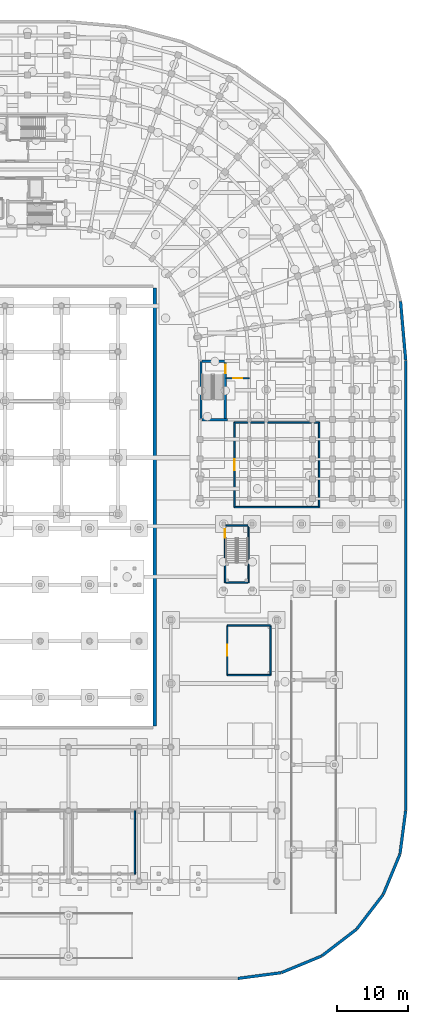
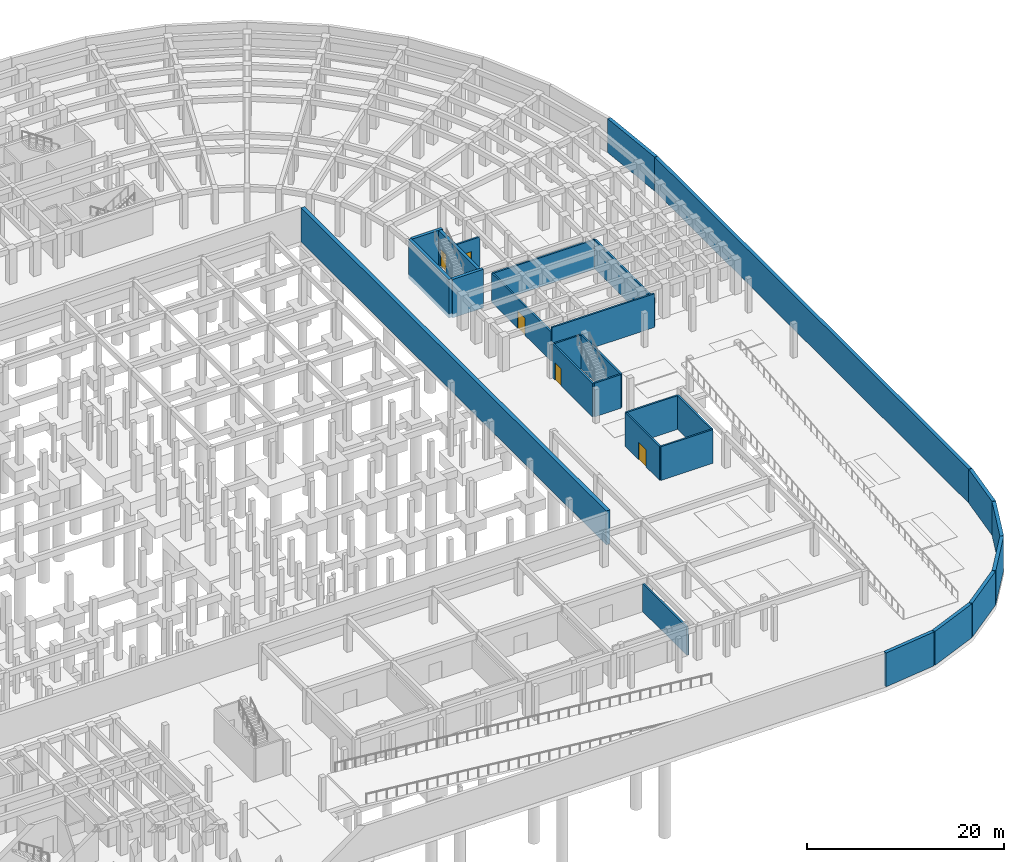
# One storey, part 37 of 53: 27 walls, 5 doors, 5 openings.
"""IFC4 building model written with IfcOpenShell, lengths in metres."""

import ifcopenshell
import ifcopenshell.guid

model = None  # the IFC model being written
_history = None  # IfcOwnerHistory: only IFC2X3 demands one
_inside = {}  # id of a spatial element -> (the spatial element, [elements in it])
_under = {}  # id of a project, library or spatial element -> (it, [spatial elements below it])
_declared = {}  # id of a project -> (the project, [libraries it declares])
_typed = {}  # id of a type object -> (the type object, [elements of that type])
_made_of = {}  # id of a material, layer set ... -> (it, [elements and type objects made of it])


def new_model(schema):
    """Start an empty IFC model of exactly this schema.

    Asked for "IFC4X3", IfcOpenShell would pick the latest addendum, in which some entities
    have other attributes; the version numbers below select the first issue.
    IFC2X3 requires an IfcOwnerHistory on every rooted entity: one is made here for all.
    """
    global model, _history
    if schema == "IFC4X3":
        model = ifcopenshell.file(schema_version=(4, 3, 0, 0))
    else:
        model = ifcopenshell.file(schema=schema)
    _inside.clear()
    _under.clear()
    _declared.clear()
    _typed.clear()
    _made_of.clear()
    _history = None
    if model.schema == "IFC2X3":
        org = make("IfcOrganization", Name="unknown")
        user = make(
            "IfcPersonAndOrganization",
            ThePerson=make("IfcPerson", FamilyName="unknown"),
            TheOrganization=org,
        )
        app = make(
            "IfcApplication",
            ApplicationDeveloper=org,
            Version="unknown",
            ApplicationFullName="unknown",
            ApplicationIdentifier="unknown",
        )
        _history = make(
            "IfcOwnerHistory",
            OwningUser=user,
            OwningApplication=app,
            ChangeAction="ADDED",
            CreationDate=0,
        )
    return model


def make(cls, **values):
    """One entity of the class cls with the attributes given. An attribute that is None is left unset."""
    return model.create_entity(
        cls, **{name: value for name, value in values.items() if value is not None}
    )


def rooted(cls, **values):
    """An entity with a GlobalId (a new one), such as an element, a storey or a relation."""
    return make(cls, GlobalId=ifcopenshell.guid.new(), OwnerHistory=_history, **values)


def si_unit(unit_type, name, prefix=None):
    """IfcSIUnit, for example si_unit("LENGTHUNIT", "METRE", prefix="MILLI")."""
    return make("IfcSIUnit", UnitType=unit_type, Prefix=prefix, Name=name)


def assignment(units):
    """IfcUnitAssignment: the units of a project."""
    return None if units is None else make("IfcUnitAssignment", Units=units)


def point(xyz):
    """IfcCartesianPoint."""
    return None if xyz is None else make("IfcCartesianPoint", Coordinates=xyz)


def direction(xyz):
    """IfcDirection."""
    return None if xyz is None else make("IfcDirection", DirectionRatios=xyz)


def frame(location, z_axis=None, x_axis=None):
    """IfcAxis2Placement3D, a coordinate frame: its origin and axes. An axis left out is left unset."""
    return make(
        "IfcAxis2Placement3D",
        Location=point(location),
        Axis=direction(z_axis),
        RefDirection=direction(x_axis),
    )


def frame_2d(location, x_axis=None):
    """IfcAxis2Placement2D, a coordinate frame in the plane: its origin and x axis."""
    return make(
        "IfcAxis2Placement2D", Location=point(location), RefDirection=direction(x_axis)
    )


def origin():
    """The frame at (0, 0, 0) with its axes left unset."""
    return frame((0.0, 0.0, 0.0))


def place(relative_to, where):
    """IfcLocalPlacement: puts the frame where relative to a parent placement (None: the world)."""
    return make(
        "IfcLocalPlacement", PlacementRelTo=relative_to, RelativePlacement=where
    )


def context(
    kind, dimensions, precision=None, world=None, true_north=None, identifier=None
):
    """IfcGeometricRepresentationContext, for example the 3D "Model" context."""
    return make(
        "IfcGeometricRepresentationContext",
        ContextIdentifier=identifier,
        ContextType=kind,
        CoordinateSpaceDimension=dimensions,
        Precision=precision,
        WorldCoordinateSystem=world,
        TrueNorth=true_north,
    )


def subcontext(parent, identifier, kind, view, scale=None):
    """IfcGeometricRepresentationSubContext, for example "Body" below "Model"."""
    return make(
        "IfcGeometricRepresentationSubContext",
        ContextIdentifier=identifier,
        ContextType=kind,
        ParentContext=parent,
        TargetScale=scale,
        TargetView=view,
    )


def project(units=None, contexts=None):
    """IfcProject with its units and contexts."""
    return rooted(
        "IfcProject",
        Name="project",
        RepresentationContexts=contexts,
        UnitsInContext=assignment(units),
    )


def spatial(cls, under=None, at=None, **own):
    """A site, building, storey or space (cls), placed at a placement, below another one or the project."""
    s = rooted(cls, ObjectPlacement=at, **own)
    if under is not None:
        _under.setdefault(under.id(), (under, []))[1].append(s)
    return s


def profile(cls, at=None, kind="AREA", **sizes):
    """A parametric profile (cls). Its sizes go by their IFC names, for example OverallWidth=200.0."""
    return make(cls, ProfileType=kind, Position=at, **sizes)


def rectangle(**sizes):
    """IfcRectangleProfileDef."""
    return profile("IfcRectangleProfileDef", **sizes)


def extrude(swept, where, along, depth):
    """IfcExtrudedAreaSolid: the profile swept, set in the frame where, extruded along a direction by depth."""
    return make(
        "IfcExtrudedAreaSolid",
        SweptArea=swept,
        Position=where,
        ExtrudedDirection=direction(along),
        Depth=depth,
    )


def shape(context_of_items, identifier, shape_type, items):
    """IfcShapeRepresentation: the items that make up one representation, for example the "Body"."""
    return make(
        "IfcShapeRepresentation",
        ContextOfItems=context_of_items,
        RepresentationIdentifier=identifier,
        RepresentationType=shape_type,
        Items=items,
    )


def material(Name=None, Category=None):
    """IfcMaterial."""
    return make("IfcMaterial", Name=Name, Category=Category)


def layer(
    of_material, thickness, ventilated=None, Name=None, Category=None, Priority=None
):
    """IfcMaterialLayer: one layer of a wall or slab, of a material (None: an air gap)."""
    return make(
        "IfcMaterialLayer",
        Material=of_material,
        LayerThickness=thickness,
        IsVentilated=ventilated,
        Name=Name,
        Category=Category,
        Priority=Priority,
    )


def layer_set(layers, Name=None):
    """IfcMaterialLayerSet."""
    return make("IfcMaterialLayerSet", MaterialLayers=layers, LayerSetName=Name)


def made_of(thing, what):
    """Note that an element or type object is made of a material, layer set ...; save() writes the relation."""
    if what is not None:
        _made_of.setdefault(what.id(), (what, []))[1].append(thing)
    return thing


def type_object(cls, material=None, **own):
    """A type object (cls), such as IfcWallType, which elements share."""
    return made_of(rooted(cls, **own), material)


def element(
    cls,
    number,
    at=None,
    inside=None,
    cuts=None,
    type_object=None,
    material=None,
    context=None,
    identifier="Body",
    shape_type=None,
    held_by="IfcProductDefinitionShape",
    body=None,
    shapes=None,
    **own,
):
    """One element of the class cls, such as IfcWall. Its Tag is "e" and its number.

    at: its placement. inside: the storey or other place that contains it. cuts: it is an
    opening in that element (IfcRelVoidsElement). A single representation is given by context,
    identifier, shape_type and body (its items); several are given by shapes. held_by: the class
    of the entity that holds the representations. save() writes the other relations.
    """
    e = rooted(cls, Tag="e%d" % number, ObjectPlacement=at, **own)
    if body is not None:
        shapes = [shape(context, identifier, shape_type, body)]
    if shapes is not None:
        e.Representation = make(held_by, Representations=shapes)
    if inside is not None:
        _inside.setdefault(inside.id(), (inside, []))[1].append(e)
    if cuts is not None:
        rooted(
            "IfcRelVoidsElement", RelatingBuildingElement=cuts, RelatedOpeningElement=e
        )
    if type_object is not None:
        _typed.setdefault(type_object.id(), (type_object, []))[1].append(e)
    return made_of(e, material)


def fill(opening, filler):
    """IfcRelFillsElement: the door or window that sits in an opening."""
    return rooted(
        "IfcRelFillsElement",
        RelatingOpeningElement=opening,
        RelatedBuildingElement=filler,
    )


def aggregate(whole, parts):
    """IfcRelAggregates: a whole, such as a stair, and the parts it consists of."""
    return rooted("IfcRelAggregates", RelatingObject=whole, RelatedObjects=parts)


def save(model, path):
    """Write the relations noted so far, then the file.

    IfcRelAggregates (storeys below a building ...), IfcRelContainedInSpatialStructure (elements
    in a storey), IfcRelDefinesByType, IfcRelAssociatesMaterial and IfcRelDeclares: one each for
    every whole, place, type object, material and project.
    """
    for whole, parts in _under.values():
        aggregate(whole, parts)
    for where, things in _inside.values():
        rooted(
            "IfcRelContainedInSpatialStructure",
            RelatedElements=things,
            RelatingStructure=where,
        )
    for kind, things in _typed.values():
        rooted("IfcRelDefinesByType", RelatedObjects=things, RelatingType=kind)
    for what, things in _made_of.values():
        rooted("IfcRelAssociatesMaterial", RelatedObjects=things, RelatingMaterial=what)
    for by, libraries in _declared.values():
        rooted("IfcRelDeclares", RelatingContext=by, RelatedDefinitions=libraries)
    model.write(path)


model = new_model("IFC4")

# Units and contexts
model_context = context("Model", 3, precision=1e-05, world=origin(), true_north=direction((0.0, 1.0)))
body_context = subcontext(model_context, "Body", "Model", "MODEL_VIEW")
ifc_project = project(units=[si_unit("LENGTHUNIT", "METRE"), si_unit("AREAUNIT", "SQUARE_METRE"), si_unit("VOLUMEUNIT", "CUBIC_METRE"), si_unit("PLANEANGLEUNIT", "RADIAN"), si_unit("MASSUNIT", "GRAM", prefix="KILO")], contexts=[model_context])

# Site, building, storey
site_placement = place(None, origin())
site = spatial("IfcSite", under=ifc_project, at=site_placement, CompositionType="ELEMENT")
building_placement = place(site_placement, origin())
building = spatial("IfcBuilding", under=site, at=building_placement, Name="Kiranvali Square Residences", CompositionType="ELEMENT")
storey_placement = place(building_placement, frame((0.0, 0.0, -4.5)))
storey = spatial("IfcBuildingStorey", under=building, at=storey_placement, Name="B1", CompositionType="ELEMENT", Elevation=-4.5)

# Wall, opening, door
ifc_material_1 = material(Name="Autoclaved aerated concrete blockwork masonry", Category="masonry")
ifc_layer_1 = layer(ifc_material_1, 0.199951171875)
ifc_layer_set_1 = layer_set([ifc_layer_1], Name="Autoclaved aerated concrete blockwork masonry")
wall_type_1 = type_object("IfcWallType", Name="WL-COR-200", PredefinedType="STANDARD", material=ifc_layer_set_1)
wall_1_placement = place(storey_placement, frame((142.35009765625, 85.25, 0.0), z_axis=(0.0, 0.0, 1.0), x_axis=(1.0, 0.0, 0.0)))
wall_1 = element("IfcWall", 1, at=wall_1_placement, inside=storey, type_object=wall_type_1, Name="B1 architectural wall WL-B1-B-S3-V", PredefinedType="STANDARD", context=body_context, shape_type="SweptSolid", body=[
    extrude(rectangle(XDim=3.25, YDim=0.199951171875, at=frame_2d((1.625, 0.0))), origin(), (0.0, 0.0, 1.0), 3.6220703125),
])
opening_1_placement = place(wall_1_placement, frame((1.014892578125, 0.0, 0.0)))
opening_1 = element("IfcOpeningElement", 2, at=opening_1_placement, cuts=wall_1, Name="Opening FD-COR-60", PredefinedType="OPENING", context=body_context, shape_type="SweptSolid", body=[
    extrude(rectangle(XDim=1.219970703125, YDim=2.14990234375, at=frame_2d((0.60986328125, 1.074951171875))), frame((0.0, 0.10986328125, 0.0), z_axis=(0.0, -1.0, 0.0), x_axis=(1.0, 0.0, 0.0)), (0.0, 0.0, 1.0), 0.219970703125),
])
ifc_material_2 = material(Name="Fire-rated acoustic hardwood and mineral-core door assembly", Category="wood")
door_type_1 = type_object("IfcDoorType", Name="DR-FD60-1200", OperationType="NOTDEFINED", PredefinedType="DOOR", material=ifc_material_2)
door_1_placement = place(opening_1_placement, frame((1.219970703125, 0.0, 0.0), z_axis=(0.0, 0.0, 1.0), x_axis=(-1.0, 0.0, 0.0)))
door_1 = element("IfcDoor", 3, at=door_1_placement, inside=storey, type_object=door_type_1, Name="B1 door DR-B1-0020 (DR-FD60-1200)", OperationType="SINGLE_SWING_RIGHT", OverallHeight=2.14990234375, OverallWidth=1.219970703125, PredefinedType="DOOR", context=body_context, shape_type="SweptSolid", body=[
    extrude(rectangle(XDim=1.219970703125, YDim=2.14990234375, at=frame_2d((0.60986328125, 1.074951171875))), frame((0.0, 0.02490234375, 0.0), z_axis=(0.0, -1.0, 0.0), x_axis=(1.0, 0.0, 0.0)), (0.0, 0.0, 1.0), 0.050048828125),
])
fill(opening_1, door_1)

# Walls
ifc_material_3 = material(Name="Concrete M40 (40 MPa)", Category="concrete")
ifc_layer_2 = layer(ifc_material_3, 0.39990234375)
ifc_layer_set_2 = layer_set([ifc_layer_2], Name="Concrete M40 (40 MPa)")
wall_type_2 = type_object("IfcWallType", Name="WL-RET-400", PredefinedType="USERDEFINED", material=ifc_layer_set_2)
wall_2_placement = place(storey_placement, frame((144.02783203125, 0.2236328125, 0.0), z_axis=(0.0, 0.0, 1.0), x_axis=(0.991444567063, 0.130528427711, 0.0)))
element("IfcWall", 4, at=wall_2_placement, inside=storey, type_object=wall_type_2, Name="Shaped street-perimeter basement retaining wall 11", ObjectType="RETAINING WALL", PredefinedType="USERDEFINED", context=body_context, shape_type="SweptSolid", body=[
    extrude(rectangle(XDim=6.15185546875, YDim=0.39990234375, at=frame_2d((3.075927734375, 0.0))), origin(), (0.0, 0.0, 1.0), 4.199951171875),
])
wall_3_placement = place(storey_placement, frame((150.1806640625, 1.041015625, 0.0), z_axis=(0.0, 0.0, 1.0), x_axis=(0.923872201168, 0.382701131314, 0.0)))
element("IfcWall", 5, at=wall_3_placement, inside=storey, type_object=wall_type_2, Name="Shaped street-perimeter basement retaining wall 12", ObjectType="RETAINING WALL", PredefinedType="USERDEFINED", context=body_context, shape_type="SweptSolid", body=[
    extrude(rectangle(XDim=6.151611328125, YDim=0.39990234375, at=frame_2d((3.07568359375, 0.0))), origin(), (0.0, 0.0, 1.0), 4.199951171875),
])
for number, where, z_axis, x_axis, name in (
    (6, (155.912109375, 3.4228515625, 0.0), (0.0, 0.0, 1.0), (0.793346321798, 0.608770575578, 0.0), "Shaped street-perimeter basement retaining wall 13"),
    (7, (160.83203125, 7.207275390625, 0.0), (0.0, 0.0, 1.0), (0.608770575578, 0.793346321798, 0.0), "Shaped street-perimeter basement retaining wall 14"),
):
    element("IfcWall", number, at=place(storey_placement, frame(where, z_axis=z_axis, x_axis=x_axis)), inside=storey, type_object=wall_type_2, Name=name, ObjectType="RETAINING WALL", PredefinedType="USERDEFINED", context=body_context, shape_type="SweptSolid", body=[
        extrude(rectangle(XDim=6.15185546875, YDim=0.39990234375, at=frame_2d((3.075927734375, 0.0))), origin(), (0.0, 0.0, 1.0), 4.199951171875),
    ])
wall_4_placement = place(storey_placement, frame((164.604736328125, 12.135986328125, 0.0), z_axis=(0.0, 0.0, 1.0), x_axis=(0.382701131314, 0.923872201168, 0.0)))
element("IfcWall", 8, at=wall_4_placement, inside=storey, type_object=wall_type_2, Name="Shaped street-perimeter basement retaining wall 15", ObjectType="RETAINING WALL", PredefinedType="USERDEFINED", context=body_context, shape_type="SweptSolid", body=[
    extrude(rectangle(XDim=6.151611328125, YDim=0.39990234375, at=frame_2d((3.07568359375, 0.0))), origin(), (0.0, 0.0, 1.0), 4.199951171875),
])
wall_5_placement = place(storey_placement, frame((166.973388671875, 17.873046875, 0.0), z_axis=(0.0, 0.0, 1.0), x_axis=(0.130528427711, 0.991444567063, 0.0)))
element("IfcWall", 9, at=wall_5_placement, inside=storey, type_object=wall_type_2, Name="Shaped street-perimeter basement retaining wall 16", ObjectType="RETAINING WALL", PredefinedType="USERDEFINED", context=body_context, shape_type="SweptSolid", body=[
    extrude(rectangle(XDim=6.15185546875, YDim=0.39990234375, at=frame_2d((3.075927734375, 0.0))), origin(), (0.0, 0.0, 1.0), 4.199951171875),
])
wall_6_placement = place(storey_placement, frame((167.780029296875, 24.028076171875, 0.0), z_axis=(0.0, 0.0, 1.0), x_axis=(0.0, 1.0, 0.0)))
element("IfcWall", 10, at=wall_6_placement, inside=storey, type_object=wall_type_2, Name="Shaped street-perimeter basement retaining wall 17", ObjectType="RETAINING WALL", PredefinedType="USERDEFINED", context=body_context, shape_type="SweptSolid", body=[
    extrude(rectangle(XDim=63.743896484375, YDim=0.39990234375, at=frame_2d((31.8720703125, 0.0))), origin(), (0.0, 0.0, 1.0), 4.199951171875),
])
wall_7_placement = place(storey_placement, frame((167.777587890625, 87.827880859375, 0.0), z_axis=(0.0, 0.0, 1.0), x_axis=(-0.087164762929, 0.996193908887, 0.0)))
element("IfcWall", 11, at=wall_7_placement, inside=storey, type_object=wall_type_2, Name="Shaped street-perimeter basement retaining wall 18", ObjectType="RETAINING WALL", PredefinedType="USERDEFINED", context=body_context, shape_type="SweptSolid", body=[
    extrude(rectangle(XDim=8.3076171875, YDim=0.39990234375, at=frame_2d((4.15380859375, 0.0))), origin(), (0.0, 0.0, 1.0), 4.199951171875),
])
ifc_layer_3 = layer(ifc_material_3, 0.449951171875)
ifc_layer_set_3 = layer_set([ifc_layer_3], Name="Concrete M40 (40 MPa)")
wall_type_3 = type_object("IfcWallType", Name="WL-RET-450", PredefinedType="USERDEFINED", material=ifc_layer_set_3)
wall_8_placement = place(storey_placement, frame((132.22509765625, 36.0, 0.0), z_axis=(0.0, 0.0, 1.0), x_axis=(0.0, 1.0, 0.0)))
element("IfcWall", 12, at=wall_8_placement, inside=storey, type_object=wall_type_3, Name="Central garden substructure retaining wall RW-GDN-E", ObjectType="RETAINING WALL", PredefinedType="USERDEFINED", context=body_context, shape_type="SweptSolid", body=[
    extrude(rectangle(XDim=62.0, YDim=0.449951171875, at=frame_2d((31.0, 0.0))), origin(), (0.0, 0.0, 1.0), 4.199951171875),
])
ifc_layer_4 = layer(ifc_material_1, 0.199951171875)
ifc_layer_set_4 = layer_set([ifc_layer_4], Name="Autoclaved aerated concrete blockwork masonry")
wall_type_4 = type_object("IfcWallType", Name="WL-SHF-200", PredefinedType="STANDARD", material=ifc_layer_set_4)
wall_9_placement = place(storey_placement, frame((142.300048828125, 56.300048828125, 0.0), z_axis=(0.0, 0.0, 1.0), x_axis=(1.0, 0.0, 0.0)))
element("IfcWall", 13, at=wall_9_placement, inside=storey, type_object=wall_type_4, Name="B1 architectural wall WL-B1-ST-P2-S", PredefinedType="STANDARD", context=body_context, shape_type="SweptSolid", body=[
    extrude(rectangle(XDim=3.099853515625, YDim=0.199951171875, at=frame_2d((1.5498046875, 0.0))), origin(), (0.0, 0.0, 1.0), 4.179931640625),
])
wall_10_placement = place(storey_placement, frame((145.5, 56.300048828125, 0.0), z_axis=(0.0, 0.0, 1.0), x_axis=(0.0, 1.0, 0.0)))
element("IfcWall", 14, at=wall_10_placement, inside=storey, type_object=wall_type_4, Name="B1 architectural wall WL-B1-ST-P2-E", PredefinedType="STANDARD", context=body_context, shape_type="SweptSolid", body=[
    extrude(rectangle(XDim=8.099853515625, YDim=0.199951171875, at=frame_2d((4.0498046875, 0.0))), origin(), (0.0, 0.0, 1.0), 4.179931640625),
])
wall_11_placement = place(storey_placement, frame((142.300048828125, 64.39990234375, 0.0), z_axis=(0.0, 0.0, 1.0), x_axis=(1.0, 0.0, 0.0)))
element("IfcWall", 15, at=wall_11_placement, inside=storey, type_object=wall_type_4, Name="B1 architectural wall WL-B1-ST-P2-N", PredefinedType="STANDARD", context=body_context, shape_type="SweptSolid", body=[
    extrude(rectangle(XDim=3.099853515625, YDim=0.199951171875, at=frame_2d((1.5498046875, 0.0))), origin(), (0.0, 0.0, 1.0), 4.179931640625),
])

# Wall, opening, door
wall_12_placement = place(storey_placement, frame((142.199951171875, 56.300048828125, 0.0), z_axis=(0.0, 0.0, 1.0), x_axis=(0.0, 1.0, 0.0)))
wall_12 = element("IfcWall", 16, at=wall_12_placement, inside=storey, type_object=wall_type_4, Name="B1 architectural wall WL-B1-ST-P2-W", PredefinedType="STANDARD", context=body_context, shape_type="SweptSolid", body=[
    extrude(rectangle(XDim=8.099853515625, YDim=0.199951171875, at=frame_2d((4.0498046875, 0.0))), origin(), (0.0, 0.0, 1.0), 4.179931640625),
])
opening_2_placement = place(wall_12_placement, frame((6.345947265625, 0.0, 0.0)))
opening_2 = element("IfcOpeningElement", 17, at=opening_2_placement, cuts=wall_12, Name="Opening FD-ST-120", PredefinedType="OPENING", context=body_context, shape_type="SweptSolid", body=[
    extrude(rectangle(XDim=1.239990234375, YDim=2.14990234375, at=frame_2d((0.6201171875, 1.074951171875))), frame((0.0, 0.10986328125, 0.0), z_axis=(0.0, -1.0, 0.0), x_axis=(1.0, 0.0, 0.0)), (0.0, 0.0, 1.0), 0.219970703125),
])
door_type_2 = type_object("IfcDoorType", Name="DR-FD120-1200", OperationType="NOTDEFINED", PredefinedType="DOOR", material=ifc_material_2)
door_2_placement = place(opening_2_placement, frame((1.239990234375, 0.0, 0.0), z_axis=(0.0, 0.0, 1.0), x_axis=(-1.0, 0.0, 0.0)))
door_2 = element("IfcDoor", 18, at=door_2_placement, inside=storey, type_object=door_type_2, Name="B1 door DR-B1-0032 (DR-FD120-1200)", OperationType="SINGLE_SWING_RIGHT", OverallHeight=2.14990234375, OverallWidth=1.239990234375, PredefinedType="DOOR", context=body_context, shape_type="SweptSolid", body=[
    extrude(rectangle(XDim=1.239990234375, YDim=2.14990234375, at=frame_2d((0.6201171875, 1.074951171875))), frame((0.0, 0.02490234375, 0.0), z_axis=(0.0, -1.0, 0.0), x_axis=(1.0, 0.0, 0.0)), (0.0, 0.0, 1.0), 0.050048828125),
])
fill(opening_2, door_2)

# Walls
wall_13_placement = place(storey_placement, frame((143.5, 67.0, 0.0), z_axis=(0.0, 0.0, 1.0), x_axis=(1.0, 0.0, 0.0)))
element("IfcWall", 19, at=wall_13_placement, inside=storey, type_object=wall_type_4, Name="B1 architectural wall WL-B1-DG-S", PredefinedType="STANDARD", context=body_context, shape_type="SweptSolid", body=[
    extrude(rectangle(XDim=12.0, YDim=0.199951171875, at=frame_2d((6.0, 0.0))), origin(), (0.0, 0.0, 1.0), 4.179931640625),
])
for number, where, z_axis, x_axis, name in (
    (20, (155.5, 67.0, 0.0), (0.0, 0.0, 1.0), (0.0, 1.0, 0.0), "B1 architectural wall WL-B1-DG-E"),
    (21, (155.5, 79.0, 0.0), (0.0, 0.0, 1.0), (-1.0, 0.0, 0.0), "B1 architectural wall WL-B1-DG-N"),
):
    element("IfcWall", number, at=place(storey_placement, frame(where, z_axis=z_axis, x_axis=x_axis)), inside=storey, type_object=wall_type_4, Name=name, PredefinedType="STANDARD", context=body_context, shape_type="SweptSolid", body=[
        extrude(rectangle(XDim=12.0, YDim=0.199951171875, at=frame_2d((6.0, 0.0))), origin(), (0.0, 0.0, 1.0), 3.6220703125),
    ])

# Wall, opening, door
wall_14_placement = place(storey_placement, frame((143.5, 79.0, 0.0), z_axis=(0.0, 0.0, 1.0), x_axis=(0.0, -1.0, 0.0)))
wall_14 = element("IfcWall", 22, at=wall_14_placement, inside=storey, type_object=wall_type_4, Name="B1 architectural wall WL-B1-DG-W", PredefinedType="STANDARD", context=body_context, shape_type="SweptSolid", body=[
    extrude(rectangle(XDim=12.0, YDim=0.199951171875, at=frame_2d((6.0, 0.0))), origin(), (0.0, 0.0, 1.0), 3.6220703125),
])
opening_3_placement = place(wall_14_placement, frame((5.22998046875, 0.0, 0.0)))
opening_3 = element("IfcOpeningElement", 23, at=opening_3_placement, cuts=wall_14, Name="Opening SD-PLT-120", PredefinedType="OPENING", context=body_context, shape_type="SweptSolid", body=[
    extrude(rectangle(XDim=1.5400390625, YDim=2.14990234375, at=frame_2d((0.77001953125, 1.074951171875))), frame((0.0, 0.10986328125, 0.0), z_axis=(0.0, -1.0, 0.0), x_axis=(1.0, 0.0, 0.0)), (0.0, 0.0, 1.0), 0.219970703125),
])
ifc_material_4 = material(Name="Galvanised powder-coated steel roller shutter", Category="steel")
door_type_3 = type_object("IfcDoorType", Name="DR-STEEL-1500", OperationType="NOTDEFINED", PredefinedType="DOOR", material=ifc_material_4)
door_3_placement = place(opening_3_placement, frame((1.5400390625, 0.0, 0.0), z_axis=(0.0, 0.0, 1.0), x_axis=(-1.0, 0.0, 0.0)))
door_3 = element("IfcDoor", 24, at=door_3_placement, inside=storey, type_object=door_type_3, Name="B1 door DR-B1-0037 (DR-STEEL-1500)", OperationType="SINGLE_SWING_LEFT", OverallHeight=2.14990234375, OverallWidth=1.5400390625, PredefinedType="DOOR", context=body_context, shape_type="SweptSolid", body=[
    extrude(rectangle(XDim=1.5400390625, YDim=2.14990234375, at=frame_2d((0.77001953125, 1.074951171875))), frame((0.0, 0.02490234375, 0.0), z_axis=(0.0, -1.0, 0.0), x_axis=(1.0, 0.0, 0.0)), (0.0, 0.0, 1.0), 0.050048828125),
])
fill(opening_3, door_3)

# Walls
wall_15_placement = place(storey_placement, frame((142.5, 43.199951171875, 0.0), z_axis=(0.0, 0.0, 1.0), x_axis=(1.0, 0.0, 0.0)))
element("IfcWall", 25, at=wall_15_placement, inside=storey, type_object=wall_type_4, Name="B1 architectural wall WL-B1-CYC-S-S", PredefinedType="STANDARD", context=body_context, shape_type="SweptSolid", body=[
    extrude(rectangle(XDim=6.10009765625, YDim=0.199951171875, at=frame_2d((3.050048828125, 0.0))), origin(), (0.0, 0.0, 1.0), 4.179931640625),
])
wall_16_placement = place(storey_placement, frame((148.60009765625, 43.199951171875, 0.0), z_axis=(0.0, 0.0, 1.0), x_axis=(0.0, 1.0, 0.0)))
element("IfcWall", 26, at=wall_16_placement, inside=storey, type_object=wall_type_4, Name="B1 architectural wall WL-B1-CYC-S-E", PredefinedType="STANDARD", context=body_context, shape_type="SweptSolid", body=[
    extrude(rectangle(XDim=7.0, YDim=0.199951171875, at=frame_2d((3.5, 0.0))), origin(), (0.0, 0.0, 1.0), 4.179931640625),
])
wall_17_placement = place(storey_placement, frame((148.60009765625, 50.199951171875, 0.0), z_axis=(0.0, 0.0, 1.0), x_axis=(-1.0, 0.0, 0.0)))
element("IfcWall", 27, at=wall_17_placement, inside=storey, type_object=wall_type_4, Name="B1 architectural wall WL-B1-CYC-S-N", PredefinedType="STANDARD", context=body_context, shape_type="SweptSolid", body=[
    extrude(rectangle(XDim=6.10009765625, YDim=0.199951171875, at=frame_2d((3.050048828125, 0.0))), origin(), (0.0, 0.0, 1.0), 4.179931640625),
])

# Wall, opening, door
wall_18_placement = place(storey_placement, frame((142.5, 50.199951171875, 0.0), z_axis=(0.0, 0.0, 1.0), x_axis=(0.0, -1.0, 0.0)))
wall_18 = element("IfcWall", 28, at=wall_18_placement, inside=storey, type_object=wall_type_4, Name="B1 architectural wall WL-B1-CYC-S-W", PredefinedType="STANDARD", context=body_context, shape_type="SweptSolid", body=[
    extrude(rectangle(XDim=7.0, YDim=0.199951171875, at=frame_2d((3.5, 0.0))), origin(), (0.0, 0.0, 1.0), 4.179931640625),
])
opening_4_placement = place(wall_18_placement, frame((2.72998046875, 0.0, 0.0)))
opening_4 = element("IfcOpeningElement", 29, at=opening_4_placement, cuts=wall_18, Name="Opening SD-PLT-120", PredefinedType="OPENING", context=body_context, shape_type="SweptSolid", body=[
    extrude(rectangle(XDim=1.5400390625, YDim=2.14990234375, at=frame_2d((0.77001953125, 1.074951171875))), frame((0.0, 0.10986328125, 0.0), z_axis=(0.0, -1.0, 0.0), x_axis=(1.0, 0.0, 0.0)), (0.0, 0.0, 1.0), 0.219970703125),
])
door_4_placement = place(opening_4_placement, frame((1.5400390625, 0.0, 0.0), z_axis=(0.0, 0.0, 1.0), x_axis=(-1.0, 0.0, 0.0)))
door_4 = element("IfcDoor", 30, at=door_4_placement, inside=storey, type_object=door_type_3, Name="B1 door DR-B1-0041 (DR-STEEL-1500)", OperationType="SINGLE_SWING_LEFT", OverallHeight=2.14990234375, OverallWidth=1.5400390625, PredefinedType="DOOR", context=body_context, shape_type="SweptSolid", body=[
    extrude(rectangle(XDim=1.5400390625, YDim=2.14990234375, at=frame_2d((0.77001953125, 1.074951171875))), frame((0.0, 0.02490234375, 0.0), z_axis=(0.0, -1.0, 0.0), x_axis=(1.0, 0.0, 0.0)), (0.0, 0.0, 1.0), 0.050048828125),
])
fill(opening_4, door_4)

# Walls
wall_19_placement = place(storey_placement, frame((129.39990234375, 15.0, 0.0), z_axis=(0.0, 0.0, 1.0), x_axis=(0.0, 1.0, 0.0)))
element("IfcWall", 31, at=wall_19_placement, inside=storey, type_object=wall_type_4, Name="B1 architectural wall WL-B1-STR-MNT-E", PredefinedType="STANDARD", context=body_context, shape_type="SweptSolid", body=[
    extrude(rectangle(XDim=9.0, YDim=0.199951171875, at=frame_2d((4.5, 0.0))), origin(), (0.0, 0.0, 1.0), 3.491943359375),
])
ifc_material_5 = material(Name="Concrete M50 (50 MPa)", Category="concrete")
ifc_layer_5 = layer(ifc_material_5, 0.35009765625)
ifc_layer_set_5 = layer_set([ifc_layer_5], Name="Concrete M50 (50 MPa)")
wall_type_5 = type_object("IfcWallType", Name="WL-SHR-350", PredefinedType="SHEAR", material=ifc_layer_set_5)
wall_20_placement = place(storey_placement, frame((138.77490234375, 87.625, -0.5), z_axis=(0.0, 0.0, 1.0), x_axis=(0.0, -1.0, 0.0)))
element("IfcWall", 32, at=wall_20_placement, inside=storey, type_object=wall_type_5, Name="Block B core shear wall SW-B3-OUT-B1", PredefinedType="SHEAR", context=body_context, shape_type="SweptSolid", body=[
    extrude(rectangle(XDim=8.25, YDim=0.35009765625, at=frame_2d((4.125, 0.0))), origin(), (0.0, 0.0, 1.0), 4.780029296875),
])

# Wall, opening, door
wall_21_placement = place(storey_placement, frame((142.22509765625, 87.449951171875, 0.0), z_axis=(0.0, 0.0, 1.0), x_axis=(0.0, -1.0, 0.0)))
wall_21 = element("IfcWall", 33, at=wall_21_placement, inside=storey, type_object=wall_type_5, Name="Block B core shear wall SW-B3-IN-B1", PredefinedType="SHEAR", context=body_context, shape_type="SweptSolid", body=[
    extrude(rectangle(XDim=7.89990234375, YDim=0.35009765625, at=frame_2d((3.949951171875, 0.0))), origin(), (0.0, 0.0, 1.0), 4.280029296875),
])
opening_5_placement = place(wall_21_placement, frame((0.280029296875, 0.0, 0.0)))
opening_5 = element("IfcOpeningElement", 34, at=opening_5_placement, cuts=wall_21, Name="Opening FD-ST-120", PredefinedType="OPENING", context=body_context, shape_type="SweptSolid", body=[
    extrude(rectangle(XDim=1.239990234375, YDim=2.14990234375, at=frame_2d((0.6201171875, 1.074951171875))), frame((0.0, 0.18505859375, 0.0), z_axis=(0.0, -1.0, 0.0), x_axis=(1.0, 0.0, 0.0)), (0.0, 0.0, 1.0), 0.3701171875),
])
door_5_placement = place(opening_5_placement, frame((1.239990234375, 0.0, 0.0), z_axis=(0.0, 0.0, 1.0), x_axis=(-1.0, 0.0, 0.0)))
door_5 = element("IfcDoor", 35, at=door_5_placement, inside=storey, type_object=door_type_2, Name="B1 door DR-B1-0016 (DR-FD120-1200)", OperationType="SINGLE_SWING_RIGHT", OverallHeight=2.14990234375, OverallWidth=1.239990234375, PredefinedType="DOOR", context=body_context, shape_type="SweptSolid", body=[
    extrude(rectangle(XDim=1.239990234375, YDim=2.14990234375, at=frame_2d((0.6201171875, 1.074951171875))), frame((0.0, 0.02490234375, 0.0), z_axis=(0.0, -1.0, 0.0), x_axis=(1.0, 0.0, 0.0)), (0.0, 0.0, 1.0), 0.050048828125),
])
fill(opening_5, door_5)

# Walls
for number, where, z_axis, x_axis, name in (
    (36, (138.949951171875, 87.625, -0.5), (0.0, 0.0, 1.0), (1.0, 0.0, 0.0), "Block B core shear wall SW-B3-NEAR-B1"),
    (37, (138.949951171875, 79.375, -0.5), (0.0, 0.0, 1.0), (1.0, 0.0, 0.0), "Block B core shear wall SW-B3-FAR-B1"),
):
    element("IfcWall", number, at=place(storey_placement, frame(where, z_axis=z_axis, x_axis=x_axis)), inside=storey, type_object=wall_type_5, Name=name, PredefinedType="SHEAR", context=body_context, shape_type="SweptSolid", body=[
        extrude(rectangle(XDim=3.60009765625, YDim=0.35009765625, at=frame_2d((1.800048828125, 0.0))), origin(), (0.0, 0.0, 1.0), 4.780029296875),
    ])

save(model, "model.ifc")
